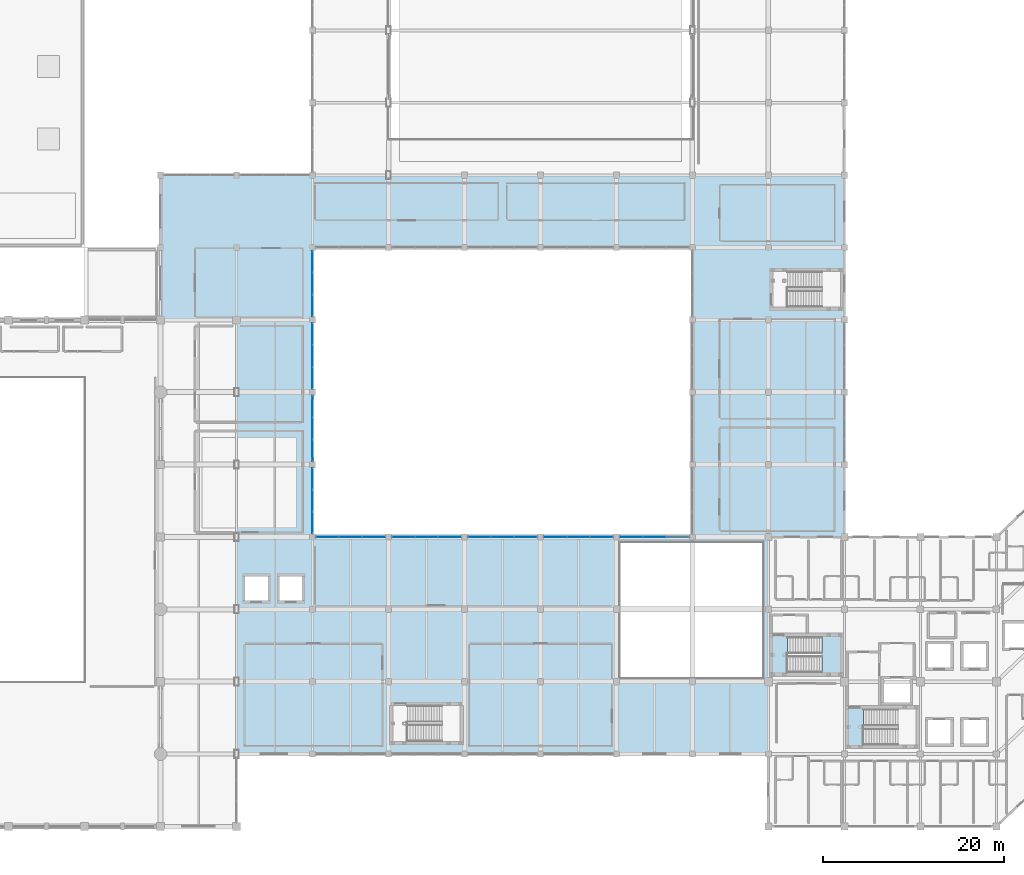
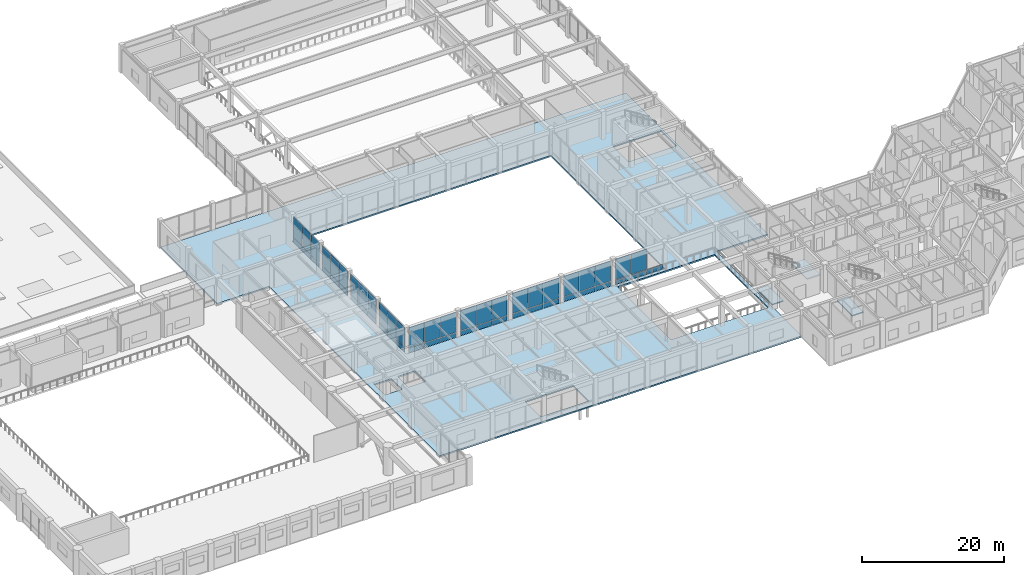
# One storey, part 45 of 76: 53 plates, 4 slabs, 10 elements without a shape of their own.
"""IFC4 building model written with IfcOpenShell, lengths in metres."""

from ifc_helpers import new_model, si_unit, direction, frame, origin, origin_2d, place, context, subcontext, project, spatial, polyline, rectangle, outline, extrude, material, layer, layer_set, type_object, element, aggregate, save


model = new_model("IFC4")

# Units and contexts
model_context = context("Model", 3, precision=1e-05, world=origin(), true_north=direction((0.0, 1.0)))
body_context = subcontext(model_context, "Body", "Model", "MODEL_VIEW")
ifc_project = project(units=[si_unit("LENGTHUNIT", "METRE"), si_unit("AREAUNIT", "SQUARE_METRE"), si_unit("VOLUMEUNIT", "CUBIC_METRE"), si_unit("PLANEANGLEUNIT", "RADIAN"), si_unit("MASSUNIT", "GRAM", prefix="KILO")], contexts=[model_context])

# Site, building, storey
site_placement = place(None, origin())
site = spatial("IfcSite", under=ifc_project, at=site_placement, CompositionType="ELEMENT")
building_placement = place(site_placement, origin())
building = spatial("IfcBuilding", under=site, at=building_placement, Name="Naruveol Harbour Congress Hotel", CompositionType="ELEMENT")
storey_placement = place(building_placement, frame((0.0, 0.0, 11.39990234375)))
storey = spatial("IfcBuildingStorey", under=building, at=storey_placement, Name="L02", CompositionType="ELEMENT", Elevation=11.39990234375)

# Curtain wall, plates
ifc_material_1 = material(Name="Low-E Curtain Wall System", Category="glass")
ifc_layer_1 = layer(ifc_material_1, 0.179931640625)
ifc_layer_set_1 = layer_set([ifc_layer_1], Name="Low-E Curtain Wall System")
curtain_wall_type_1 = type_object("IfcCurtainWallType", Name="UNITISED CURTAIN WALL CW-CTS-42 7700X4500", PredefinedType="USERDEFINED", material=ifc_layer_set_1)
curtain_wall_1_placement = place(storey_placement, origin())
curtain_wall_1 = element("IfcCurtainWall", 1, at=curtain_wall_1_placement, inside=storey, type_object=curtain_wall_type_1, Name="Unitised curtain wall CW-CTS-42 L02", ObjectType="UNITISED GLAZING", PredefinedType="USERDEFINED")
ifc_material_2 = material(Name="Anodised Aluminium Spandrel", Category="aluminium")
ifc_layer_2 = layer(ifc_material_2, 0.054931640625)
ifc_layer_set_2 = layer_set([ifc_layer_2], Name="Anodised Aluminium Spandrel")
plate_type_1 = type_object("IfcPlateType", Name="INSULATED CERAMIC SPANDREL PANEL 55", PredefinedType="CURTAIN_PANEL", material=ifc_layer_set_2)
plate_1_placement = place(storey_placement, frame((68.833251953125, 32.010009765625, 0.0400390625), z_axis=(0.0, 0.0, 1.0), x_axis=(1.0, 0.0, 0.0)))
plate_1 = element("IfcPlate", 2, at=plate_1_placement, type_object=plate_type_1, Name="Curtain wall spandrel panel CW-L02-0105-PS0", PredefinedType="CURTAIN_PANEL", context=body_context, shape_type="SweptSolid", body=[
    extrude(rectangle(XDim=2.487060546875, YDim=0.054931640625, at=origin_2d()), origin(), (0.0, 0.0, 1.0), 0.77001953125),
])
plate_2_placement = place(storey_placement, frame((71.39990234375, 32.010009765625, 0.0400390625), z_axis=(0.0, 0.0, 1.0), x_axis=(1.0, 0.0, 0.0)))
plate_2 = element("IfcPlate", 3, at=plate_2_placement, type_object=plate_type_1, Name="Curtain wall spandrel panel CW-L02-0105-PS1", PredefinedType="CURTAIN_PANEL", context=body_context, shape_type="SweptSolid", body=[
    extrude(rectangle(XDim=2.487060546875, YDim=0.054931640625, at=origin_2d()), origin(), (0.0, 0.0, 1.0), 0.77001953125),
])
plate_3_placement = place(storey_placement, frame((73.966796875, 32.010009765625, 0.0400390625), z_axis=(0.0, 0.0, 1.0), x_axis=(1.0, 0.0, 0.0)))
plate_3 = element("IfcPlate", 4, at=plate_3_placement, type_object=plate_type_1, Name="Curtain wall spandrel panel CW-L02-0105-PS2", PredefinedType="CURTAIN_PANEL", context=body_context, shape_type="SweptSolid", body=[
    extrude(rectangle(XDim=2.487060546875, YDim=0.054931640625, at=origin_2d()), origin(), (0.0, 0.0, 1.0), 0.77001953125),
])

curtain_wall_2_placement = place(storey_placement, origin())
curtain_wall_2 = element("IfcCurtainWall", 5, at=curtain_wall_2_placement, inside=storey, type_object=curtain_wall_type_1, Name="Unitised curtain wall CW-CTS-42 L02", ObjectType="UNITISED GLAZING", PredefinedType="USERDEFINED")
plate_4_placement = place(storey_placement, frame((77.2333984375, 32.010009765625, 0.0400390625), z_axis=(0.0, 0.0, 1.0), x_axis=(1.0, 0.0, 0.0)))
plate_4 = element("IfcPlate", 6, at=plate_4_placement, type_object=plate_type_1, Name="Curtain wall spandrel panel CW-L02-0107-PS0", PredefinedType="CURTAIN_PANEL", context=body_context, shape_type="SweptSolid", body=[
    extrude(rectangle(XDim=2.487060546875, YDim=0.054931640625, at=origin_2d()), origin(), (0.0, 0.0, 1.0), 0.77001953125),
])
plate_5_placement = place(storey_placement, frame((79.800048828125, 32.010009765625, 0.0400390625), z_axis=(0.0, 0.0, 1.0), x_axis=(1.0, 0.0, 0.0)))
plate_5 = element("IfcPlate", 7, at=plate_5_placement, type_object=plate_type_1, Name="Curtain wall spandrel panel CW-L02-0107-PS1", PredefinedType="CURTAIN_PANEL", context=body_context, shape_type="SweptSolid", body=[
    extrude(rectangle(XDim=2.487060546875, YDim=0.054931640625, at=origin_2d()), origin(), (0.0, 0.0, 1.0), 0.77001953125),
])
plate_6_placement = place(storey_placement, frame((82.36669921875, 32.010009765625, 0.0400390625), z_axis=(0.0, 0.0, 1.0), x_axis=(1.0, 0.0, 0.0)))
plate_6 = element("IfcPlate", 8, at=plate_6_placement, type_object=plate_type_1, Name="Curtain wall spandrel panel CW-L02-0107-PS2", PredefinedType="CURTAIN_PANEL", context=body_context, shape_type="SweptSolid", body=[
    extrude(rectangle(XDim=2.487060546875, YDim=0.054931640625, at=origin_2d()), origin(), (0.0, 0.0, 1.0), 0.77001953125),
])

curtain_wall_3_placement = place(storey_placement, origin())
curtain_wall_3 = element("IfcCurtainWall", 9, at=curtain_wall_3_placement, inside=storey, type_object=curtain_wall_type_1, Name="Unitised curtain wall CW-CTS-42 L02", ObjectType="UNITISED GLAZING", PredefinedType="USERDEFINED")
plate_7_placement = place(storey_placement, frame((85.63330078125, 32.010009765625, 0.0400390625), z_axis=(0.0, 0.0, 1.0), x_axis=(1.0, 0.0, 0.0)))
plate_7 = element("IfcPlate", 10, at=plate_7_placement, type_object=plate_type_1, Name="Curtain wall spandrel panel CW-L02-0109-PS0", PredefinedType="CURTAIN_PANEL", context=body_context, shape_type="SweptSolid", body=[
    extrude(rectangle(XDim=2.487060546875, YDim=0.054931640625, at=origin_2d()), origin(), (0.0, 0.0, 1.0), 0.77001953125),
])
plate_8_placement = place(storey_placement, frame((88.199951171875, 32.010009765625, 0.0400390625), z_axis=(0.0, 0.0, 1.0), x_axis=(1.0, 0.0, 0.0)))
plate_8 = element("IfcPlate", 11, at=plate_8_placement, type_object=plate_type_1, Name="Curtain wall spandrel panel CW-L02-0109-PS1", PredefinedType="CURTAIN_PANEL", context=body_context, shape_type="SweptSolid", body=[
    extrude(rectangle(XDim=2.487060546875, YDim=0.054931640625, at=origin_2d()), origin(), (0.0, 0.0, 1.0), 0.77001953125),
])
plate_9_placement = place(storey_placement, frame((90.7666015625, 32.010009765625, 0.0400390625), z_axis=(0.0, 0.0, 1.0), x_axis=(1.0, 0.0, 0.0)))
plate_9 = element("IfcPlate", 12, at=plate_9_placement, type_object=plate_type_1, Name="Curtain wall spandrel panel CW-L02-0109-PS2", PredefinedType="CURTAIN_PANEL", context=body_context, shape_type="SweptSolid", body=[
    extrude(rectangle(XDim=2.487060546875, YDim=0.054931640625, at=origin_2d()), origin(), (0.0, 0.0, 1.0), 0.77001953125),
])

curtain_wall_4_placement = place(storey_placement, origin())
curtain_wall_4 = element("IfcCurtainWall", 13, at=curtain_wall_4_placement, inside=storey, type_object=curtain_wall_type_1, Name="Unitised curtain wall CW-CTS-42 L02", ObjectType="UNITISED GLAZING", PredefinedType="USERDEFINED")
plate_10_placement = place(storey_placement, frame((94.033203125, 32.010009765625, 0.0400390625), z_axis=(0.0, 0.0, 1.0), x_axis=(1.0, 0.0, 0.0)))
plate_10 = element("IfcPlate", 14, at=plate_10_placement, type_object=plate_type_1, Name="Curtain wall spandrel panel CW-L02-0111-PS0", PredefinedType="CURTAIN_PANEL", context=body_context, shape_type="SweptSolid", body=[
    extrude(rectangle(XDim=2.487060546875, YDim=0.054931640625, at=origin_2d()), origin(), (0.0, 0.0, 1.0), 0.77001953125),
])
plate_11_placement = place(storey_placement, frame((96.60009765625, 32.010009765625, 0.0400390625), z_axis=(0.0, 0.0, 1.0), x_axis=(1.0, 0.0, 0.0)))
plate_11 = element("IfcPlate", 15, at=plate_11_placement, type_object=plate_type_1, Name="Curtain wall spandrel panel CW-L02-0111-PS1", PredefinedType="CURTAIN_PANEL", context=body_context, shape_type="SweptSolid", body=[
    extrude(rectangle(XDim=2.487060546875, YDim=0.054931640625, at=origin_2d()), origin(), (0.0, 0.0, 1.0), 0.77001953125),
])
plate_12_placement = place(storey_placement, frame((99.166748046875, 32.010009765625, 0.0400390625), z_axis=(0.0, 0.0, 1.0), x_axis=(1.0, 0.0, 0.0)))
plate_12 = element("IfcPlate", 16, at=plate_12_placement, type_object=plate_type_1, Name="Curtain wall spandrel panel CW-L02-0111-PS2", PredefinedType="CURTAIN_PANEL", context=body_context, shape_type="SweptSolid", body=[
    extrude(rectangle(XDim=2.487060546875, YDim=0.054931640625, at=origin_2d()), origin(), (0.0, 0.0, 1.0), 0.77001953125),
])

curtain_wall_5_placement = place(storey_placement, origin())
curtain_wall_5 = element("IfcCurtainWall", 17, at=curtain_wall_5_placement, inside=storey, type_object=curtain_wall_type_1, Name="Unitised curtain wall CW-CTS-42 L02", ObjectType="UNITISED GLAZING", PredefinedType="USERDEFINED")
plate_13_placement = place(storey_placement, frame((102.433349609375, 32.010009765625, 0.0400390625), z_axis=(0.0, 0.0, 1.0), x_axis=(1.0, 0.0, 0.0)))
plate_13 = element("IfcPlate", 18, at=plate_13_placement, type_object=plate_type_1, Name="Curtain wall spandrel panel CW-L02-0113-PS0", PredefinedType="CURTAIN_PANEL", context=body_context, shape_type="SweptSolid", body=[
    extrude(rectangle(XDim=2.487060546875, YDim=0.054931640625, at=origin_2d()), origin(), (0.0, 0.0, 1.0), 0.77001953125),
])
plate_14_placement = place(storey_placement, frame((105.0, 32.010009765625, 0.0400390625), z_axis=(0.0, 0.0, 1.0), x_axis=(1.0, 0.0, 0.0)))
plate_14 = element("IfcPlate", 19, at=plate_14_placement, type_object=plate_type_1, Name="Curtain wall spandrel panel CW-L02-0113-PS1", PredefinedType="CURTAIN_PANEL", context=body_context, shape_type="SweptSolid", body=[
    extrude(rectangle(XDim=2.487060546875, YDim=0.054931640625, at=origin_2d()), origin(), (0.0, 0.0, 1.0), 0.77001953125),
])
plate_15_placement = place(storey_placement, frame((107.566650390625, 32.010009765625, 0.0400390625), z_axis=(0.0, 0.0, 1.0), x_axis=(1.0, 0.0, 0.0)))
plate_15 = element("IfcPlate", 20, at=plate_15_placement, type_object=plate_type_1, Name="Curtain wall spandrel panel CW-L02-0113-PS2", PredefinedType="CURTAIN_PANEL", context=body_context, shape_type="SweptSolid", body=[
    extrude(rectangle(XDim=2.487060546875, YDim=0.054931640625, at=origin_2d()), origin(), (0.0, 0.0, 1.0), 0.77001953125),
])

ifc_material_3 = material(Name="Low-E Curtain Wall System", Category="glass")
ifc_layer_3 = layer(ifc_material_3, 0.179931640625)
ifc_layer_set_3 = layer_set([ifc_layer_3], Name="Low-E Curtain Wall System")
curtain_wall_type_2 = type_object("IfcCurtainWallType", Name="UNITISED CURTAIN WALL CW-CTW-43 7300X4500", PredefinedType="USERDEFINED", material=ifc_layer_set_3)
curtain_wall_6_placement = place(storey_placement, origin())
curtain_wall_6 = element("IfcCurtainWall", 21, at=curtain_wall_6_placement, inside=storey, type_object=curtain_wall_type_2, Name="Unitised curtain wall CW-CTW-43 L02", ObjectType="UNITISED GLAZING", PredefinedType="USERDEFINED")
plate_16_placement = place(storey_placement, frame((67.18994140625, 33.566650390625, 0.0400390625), z_axis=(0.0, 0.0, 1.0), x_axis=(0.0, 1.0, 0.0)))
plate_16 = element("IfcPlate", 22, at=plate_16_placement, type_object=plate_type_1, Name="Curtain wall spandrel panel CW-L02-0114-PS0", PredefinedType="CURTAIN_PANEL", context=body_context, shape_type="SweptSolid", body=[
    extrude(rectangle(XDim=2.35302734375, YDim=0.054931640625, at=origin_2d()), origin(), (0.0, 0.0, 1.0), 0.77001953125),
])
plate_17_placement = place(storey_placement, frame((67.18994140625, 36.0, 0.0400390625), z_axis=(0.0, 0.0, 1.0), x_axis=(0.0, 1.0, 0.0)))
plate_17 = element("IfcPlate", 23, at=plate_17_placement, type_object=plate_type_1, Name="Curtain wall spandrel panel CW-L02-0114-PS1", PredefinedType="CURTAIN_PANEL", context=body_context, shape_type="SweptSolid", body=[
    extrude(rectangle(XDim=2.35302734375, YDim=0.054931640625, at=origin_2d()), origin(), (0.0, 0.0, 1.0), 0.77001953125),
])
plate_18_placement = place(storey_placement, frame((67.18994140625, 38.433349609375, 0.0400390625), z_axis=(0.0, 0.0, 1.0), x_axis=(0.0, 1.0, 0.0)))
plate_18 = element("IfcPlate", 24, at=plate_18_placement, type_object=plate_type_1, Name="Curtain wall spandrel panel CW-L02-0114-PS2", PredefinedType="CURTAIN_PANEL", context=body_context, shape_type="SweptSolid", body=[
    extrude(rectangle(XDim=2.35302734375, YDim=0.054931640625, at=origin_2d()), origin(), (0.0, 0.0, 1.0), 0.77001953125),
])

curtain_wall_7_placement = place(storey_placement, origin())
curtain_wall_7 = element("IfcCurtainWall", 25, at=curtain_wall_7_placement, inside=storey, type_object=curtain_wall_type_2, Name="Unitised curtain wall CW-CTW-43 L02", ObjectType="UNITISED GLAZING", PredefinedType="USERDEFINED")
plate_19_placement = place(storey_placement, frame((67.18994140625, 41.566650390625, 0.0400390625), z_axis=(0.0, 0.0, 1.0), x_axis=(0.0, 1.0, 0.0)))
plate_19 = element("IfcPlate", 26, at=plate_19_placement, type_object=plate_type_1, Name="Curtain wall spandrel panel CW-L02-0116-PS0", PredefinedType="CURTAIN_PANEL", context=body_context, shape_type="SweptSolid", body=[
    extrude(rectangle(XDim=2.35302734375, YDim=0.054931640625, at=origin_2d()), origin(), (0.0, 0.0, 1.0), 0.77001953125),
])
plate_20_placement = place(storey_placement, frame((67.18994140625, 44.0, 0.0400390625), z_axis=(0.0, 0.0, 1.0), x_axis=(0.0, 1.0, 0.0)))
plate_20 = element("IfcPlate", 27, at=plate_20_placement, type_object=plate_type_1, Name="Curtain wall spandrel panel CW-L02-0116-PS1", PredefinedType="CURTAIN_PANEL", context=body_context, shape_type="SweptSolid", body=[
    extrude(rectangle(XDim=2.35302734375, YDim=0.054931640625, at=origin_2d()), origin(), (0.0, 0.0, 1.0), 0.77001953125),
])
plate_21_placement = place(storey_placement, frame((67.18994140625, 46.433349609375, 0.0400390625), z_axis=(0.0, 0.0, 1.0), x_axis=(0.0, 1.0, 0.0)))
plate_21 = element("IfcPlate", 28, at=plate_21_placement, type_object=plate_type_1, Name="Curtain wall spandrel panel CW-L02-0116-PS2", PredefinedType="CURTAIN_PANEL", context=body_context, shape_type="SweptSolid", body=[
    extrude(rectangle(XDim=2.35302734375, YDim=0.054931640625, at=origin_2d()), origin(), (0.0, 0.0, 1.0), 0.77001953125),
])

curtain_wall_8_placement = place(storey_placement, origin())
curtain_wall_8 = element("IfcCurtainWall", 29, at=curtain_wall_8_placement, inside=storey, type_object=curtain_wall_type_2, Name="Unitised curtain wall CW-CTW-43 L02", ObjectType="UNITISED GLAZING", PredefinedType="USERDEFINED")
plate_22_placement = place(storey_placement, frame((67.18994140625, 49.566650390625, 0.0400390625), z_axis=(0.0, 0.0, 1.0), x_axis=(0.0, 1.0, 0.0)))
plate_22 = element("IfcPlate", 30, at=plate_22_placement, type_object=plate_type_1, Name="Curtain wall spandrel panel CW-L02-0118-PS0", PredefinedType="CURTAIN_PANEL", context=body_context, shape_type="SweptSolid", body=[
    extrude(rectangle(XDim=2.35302734375, YDim=0.054931640625, at=origin_2d()), origin(), (0.0, 0.0, 1.0), 0.77001953125),
])
plate_23_placement = place(storey_placement, frame((67.18994140625, 52.0, 0.0400390625), z_axis=(0.0, 0.0, 1.0), x_axis=(0.0, 1.0, 0.0)))
plate_23 = element("IfcPlate", 31, at=plate_23_placement, type_object=plate_type_1, Name="Curtain wall spandrel panel CW-L02-0118-PS1", PredefinedType="CURTAIN_PANEL", context=body_context, shape_type="SweptSolid", body=[
    extrude(rectangle(XDim=2.35302734375, YDim=0.054931640625, at=origin_2d()), origin(), (0.0, 0.0, 1.0), 0.77001953125),
])
plate_24_placement = place(storey_placement, frame((67.18994140625, 54.433349609375, 0.0400390625), z_axis=(0.0, 0.0, 1.0), x_axis=(0.0, 1.0, 0.0)))
plate_24 = element("IfcPlate", 32, at=plate_24_placement, type_object=plate_type_1, Name="Curtain wall spandrel panel CW-L02-0118-PS2", PredefinedType="CURTAIN_PANEL", context=body_context, shape_type="SweptSolid", body=[
    extrude(rectangle(XDim=2.35302734375, YDim=0.054931640625, at=origin_2d()), origin(), (0.0, 0.0, 1.0), 0.77001953125),
])

curtain_wall_9_placement = place(storey_placement, origin())
curtain_wall_9 = element("IfcCurtainWall", 33, at=curtain_wall_9_placement, inside=storey, type_object=curtain_wall_type_2, Name="Unitised curtain wall CW-CTW-43 L02", ObjectType="UNITISED GLAZING", PredefinedType="USERDEFINED")
plate_25_placement = place(storey_placement, frame((67.18994140625, 57.566650390625, 0.0400390625), z_axis=(0.0, 0.0, 1.0), x_axis=(0.0, 1.0, 0.0)))
plate_25 = element("IfcPlate", 34, at=plate_25_placement, type_object=plate_type_1, Name="Curtain wall spandrel panel CW-L02-0120-PS0", PredefinedType="CURTAIN_PANEL", context=body_context, shape_type="SweptSolid", body=[
    extrude(rectangle(XDim=2.35302734375, YDim=0.054931640625, at=origin_2d()), origin(), (0.0, 0.0, 1.0), 0.77001953125),
])
plate_26_placement = place(storey_placement, frame((67.18994140625, 60.0, 0.0400390625), z_axis=(0.0, 0.0, 1.0), x_axis=(0.0, 1.0, 0.0)))
plate_26 = element("IfcPlate", 35, at=plate_26_placement, type_object=plate_type_1, Name="Curtain wall spandrel panel CW-L02-0120-PS1", PredefinedType="CURTAIN_PANEL", context=body_context, shape_type="SweptSolid", body=[
    extrude(rectangle(XDim=2.35302734375, YDim=0.054931640625, at=origin_2d()), origin(), (0.0, 0.0, 1.0), 0.77001953125),
])
plate_27_placement = place(storey_placement, frame((67.18994140625, 62.433349609375, 0.0400390625), z_axis=(0.0, 0.0, 1.0), x_axis=(0.0, 1.0, 0.0)))
plate_27 = element("IfcPlate", 36, at=plate_27_placement, type_object=plate_type_1, Name="Curtain wall spandrel panel CW-L02-0120-PS2", PredefinedType="CURTAIN_PANEL", context=body_context, shape_type="SweptSolid", body=[
    extrude(rectangle(XDim=2.35302734375, YDim=0.054931640625, at=origin_2d()), origin(), (0.0, 0.0, 1.0), 0.77001953125),
])

# Plate
ifc_material_4 = material(Name="Low-E Insulated Glass", Category="glass")
ifc_layer_4 = layer(ifc_material_4, 0.0419921875)
ifc_layer_set_4 = layer_set([ifc_layer_4], Name="Low-E Insulated Glass")
plate_type_2 = type_object("IfcPlateType", Name="LOW-E TRIPLE GLAZED CURTAIN PANEL 42", PredefinedType="CURTAIN_PANEL", material=ifc_layer_set_4)
plate_28_placement = place(storey_placement, frame((68.833251953125, 32.010009765625, 0.89013671875), z_axis=(0.0, 0.0, 1.0), x_axis=(1.0, 0.0, 0.0)))
plate_28 = element("IfcPlate", 37, at=plate_28_placement, type_object=plate_type_2, Name="Curtain wall vision panel CW-L02-0105-PG0", PredefinedType="CURTAIN_PANEL", context=body_context, shape_type="SweptSolid", body=[
    extrude(rectangle(XDim=2.487060546875, YDim=0.0419921875, at=origin_2d()), origin(), (0.0, 0.0, 1.0), 3.489990234375),
])

plate_29_placement = place(storey_placement, frame((71.39990234375, 32.010009765625, 0.89013671875), z_axis=(0.0, 0.0, 1.0), x_axis=(1.0, 0.0, 0.0)))
plate_29 = element("IfcPlate", 38, at=plate_29_placement, type_object=plate_type_2, Name="Curtain wall vision panel CW-L02-0105-PG1", PredefinedType="CURTAIN_PANEL", context=body_context, shape_type="SweptSolid", body=[
    extrude(rectangle(XDim=2.487060546875, YDim=0.0419921875, at=origin_2d()), origin(), (0.0, 0.0, 1.0), 3.489990234375),
])

plate_30_placement = place(storey_placement, frame((73.966796875, 32.010009765625, 0.89013671875), z_axis=(0.0, 0.0, 1.0), x_axis=(1.0, 0.0, 0.0)))
plate_30 = element("IfcPlate", 39, at=plate_30_placement, type_object=plate_type_2, Name="Curtain wall vision panel CW-L02-0105-PG2", PredefinedType="CURTAIN_PANEL", context=body_context, shape_type="SweptSolid", body=[
    extrude(rectangle(XDim=2.487060546875, YDim=0.0419921875, at=origin_2d()), origin(), (0.0, 0.0, 1.0), 3.489990234375),
])

aggregate(curtain_wall_1, [plate_1, plate_28, plate_2, plate_29, plate_3, plate_30])

plate_31_placement = place(storey_placement, frame((77.2333984375, 32.010009765625, 0.89013671875), z_axis=(0.0, 0.0, 1.0), x_axis=(1.0, 0.0, 0.0)))
plate_31 = element("IfcPlate", 40, at=plate_31_placement, type_object=plate_type_2, Name="Curtain wall vision panel CW-L02-0107-PG0", PredefinedType="CURTAIN_PANEL", context=body_context, shape_type="SweptSolid", body=[
    extrude(rectangle(XDim=2.487060546875, YDim=0.0419921875, at=origin_2d()), origin(), (0.0, 0.0, 1.0), 3.489990234375),
])

plate_32_placement = place(storey_placement, frame((79.800048828125, 32.010009765625, 0.89013671875), z_axis=(0.0, 0.0, 1.0), x_axis=(1.0, 0.0, 0.0)))
plate_32 = element("IfcPlate", 41, at=plate_32_placement, type_object=plate_type_2, Name="Curtain wall vision panel CW-L02-0107-PG1", PredefinedType="CURTAIN_PANEL", context=body_context, shape_type="SweptSolid", body=[
    extrude(rectangle(XDim=2.487060546875, YDim=0.0419921875, at=origin_2d()), origin(), (0.0, 0.0, 1.0), 3.489990234375),
])

plate_33_placement = place(storey_placement, frame((82.36669921875, 32.010009765625, 0.89013671875), z_axis=(0.0, 0.0, 1.0), x_axis=(1.0, 0.0, 0.0)))
plate_33 = element("IfcPlate", 42, at=plate_33_placement, type_object=plate_type_2, Name="Curtain wall vision panel CW-L02-0107-PG2", PredefinedType="CURTAIN_PANEL", context=body_context, shape_type="SweptSolid", body=[
    extrude(rectangle(XDim=2.487060546875, YDim=0.0419921875, at=origin_2d()), origin(), (0.0, 0.0, 1.0), 3.489990234375),
])

aggregate(curtain_wall_2, [plate_4, plate_31, plate_5, plate_32, plate_6, plate_33])

plate_34_placement = place(storey_placement, frame((85.63330078125, 32.010009765625, 0.89013671875), z_axis=(0.0, 0.0, 1.0), x_axis=(1.0, 0.0, 0.0)))
plate_34 = element("IfcPlate", 43, at=plate_34_placement, type_object=plate_type_2, Name="Curtain wall vision panel CW-L02-0109-PG0", PredefinedType="CURTAIN_PANEL", context=body_context, shape_type="SweptSolid", body=[
    extrude(rectangle(XDim=2.487060546875, YDim=0.0419921875, at=origin_2d()), origin(), (0.0, 0.0, 1.0), 3.489990234375),
])

plate_35_placement = place(storey_placement, frame((88.199951171875, 32.010009765625, 0.89013671875), z_axis=(0.0, 0.0, 1.0), x_axis=(1.0, 0.0, 0.0)))
plate_35 = element("IfcPlate", 44, at=plate_35_placement, type_object=plate_type_2, Name="Curtain wall vision panel CW-L02-0109-PG1", PredefinedType="CURTAIN_PANEL", context=body_context, shape_type="SweptSolid", body=[
    extrude(rectangle(XDim=2.487060546875, YDim=0.0419921875, at=origin_2d()), origin(), (0.0, 0.0, 1.0), 3.489990234375),
])

plate_36_placement = place(storey_placement, frame((90.7666015625, 32.010009765625, 0.89013671875), z_axis=(0.0, 0.0, 1.0), x_axis=(1.0, 0.0, 0.0)))
plate_36 = element("IfcPlate", 45, at=plate_36_placement, type_object=plate_type_2, Name="Curtain wall vision panel CW-L02-0109-PG2", PredefinedType="CURTAIN_PANEL", context=body_context, shape_type="SweptSolid", body=[
    extrude(rectangle(XDim=2.487060546875, YDim=0.0419921875, at=origin_2d()), origin(), (0.0, 0.0, 1.0), 3.489990234375),
])

aggregate(curtain_wall_3, [plate_7, plate_34, plate_8, plate_35, plate_9, plate_36])

plate_37_placement = place(storey_placement, frame((94.033203125, 32.010009765625, 0.89013671875), z_axis=(0.0, 0.0, 1.0), x_axis=(1.0, 0.0, 0.0)))
plate_37 = element("IfcPlate", 46, at=plate_37_placement, type_object=plate_type_2, Name="Curtain wall vision panel CW-L02-0111-PG0", PredefinedType="CURTAIN_PANEL", context=body_context, shape_type="SweptSolid", body=[
    extrude(rectangle(XDim=2.487060546875, YDim=0.0419921875, at=origin_2d()), origin(), (0.0, 0.0, 1.0), 3.489990234375),
])

plate_38_placement = place(storey_placement, frame((96.60009765625, 32.010009765625, 0.89013671875), z_axis=(0.0, 0.0, 1.0), x_axis=(1.0, 0.0, 0.0)))
plate_38 = element("IfcPlate", 47, at=plate_38_placement, type_object=plate_type_2, Name="Curtain wall vision panel CW-L02-0111-PG1", PredefinedType="CURTAIN_PANEL", context=body_context, shape_type="SweptSolid", body=[
    extrude(rectangle(XDim=2.487060546875, YDim=0.0419921875, at=origin_2d()), origin(), (0.0, 0.0, 1.0), 3.489990234375),
])

plate_39_placement = place(storey_placement, frame((99.166748046875, 32.010009765625, 0.89013671875), z_axis=(0.0, 0.0, 1.0), x_axis=(1.0, 0.0, 0.0)))
plate_39 = element("IfcPlate", 48, at=plate_39_placement, type_object=plate_type_2, Name="Curtain wall vision panel CW-L02-0111-PG2", PredefinedType="CURTAIN_PANEL", context=body_context, shape_type="SweptSolid", body=[
    extrude(rectangle(XDim=2.487060546875, YDim=0.0419921875, at=origin_2d()), origin(), (0.0, 0.0, 1.0), 3.489990234375),
])

aggregate(curtain_wall_4, [plate_10, plate_37, plate_11, plate_38, plate_12, plate_39])

plate_40_placement = place(storey_placement, frame((102.433349609375, 32.010009765625, 0.89013671875), z_axis=(0.0, 0.0, 1.0), x_axis=(1.0, 0.0, 0.0)))
plate_40 = element("IfcPlate", 49, at=plate_40_placement, type_object=plate_type_2, Name="Curtain wall vision panel CW-L02-0113-PG0", PredefinedType="CURTAIN_PANEL", context=body_context, shape_type="SweptSolid", body=[
    extrude(rectangle(XDim=2.487060546875, YDim=0.0419921875, at=origin_2d()), origin(), (0.0, 0.0, 1.0), 3.489990234375),
])

plate_41_placement = place(storey_placement, frame((105.0, 32.010009765625, 0.89013671875), z_axis=(0.0, 0.0, 1.0), x_axis=(1.0, 0.0, 0.0)))
plate_41 = element("IfcPlate", 50, at=plate_41_placement, type_object=plate_type_2, Name="Curtain wall vision panel CW-L02-0113-PG1", PredefinedType="CURTAIN_PANEL", context=body_context, shape_type="SweptSolid", body=[
    extrude(rectangle(XDim=2.487060546875, YDim=0.0419921875, at=origin_2d()), origin(), (0.0, 0.0, 1.0), 3.489990234375),
])

aggregate(curtain_wall_5, [plate_13, plate_40, plate_14, plate_41, plate_15])

plate_42_placement = place(storey_placement, frame((67.18994140625, 33.566650390625, 0.89013671875), z_axis=(0.0, 0.0, 1.0), x_axis=(0.0, 1.0, 0.0)))
plate_42 = element("IfcPlate", 51, at=plate_42_placement, type_object=plate_type_2, Name="Curtain wall vision panel CW-L02-0114-PG0", PredefinedType="CURTAIN_PANEL", context=body_context, shape_type="SweptSolid", body=[
    extrude(rectangle(XDim=2.35302734375, YDim=0.0419921875, at=origin_2d()), origin(), (0.0, 0.0, 1.0), 3.489990234375),
])

plate_43_placement = place(storey_placement, frame((67.18994140625, 36.0, 0.89013671875), z_axis=(0.0, 0.0, 1.0), x_axis=(0.0, 1.0, 0.0)))
plate_43 = element("IfcPlate", 52, at=plate_43_placement, type_object=plate_type_2, Name="Curtain wall vision panel CW-L02-0114-PG1", PredefinedType="CURTAIN_PANEL", context=body_context, shape_type="SweptSolid", body=[
    extrude(rectangle(XDim=2.35302734375, YDim=0.0419921875, at=origin_2d()), origin(), (0.0, 0.0, 1.0), 3.489990234375),
])

plate_44_placement = place(storey_placement, frame((67.18994140625, 38.433349609375, 0.89013671875), z_axis=(0.0, 0.0, 1.0), x_axis=(0.0, 1.0, 0.0)))
plate_44 = element("IfcPlate", 53, at=plate_44_placement, type_object=plate_type_2, Name="Curtain wall vision panel CW-L02-0114-PG2", PredefinedType="CURTAIN_PANEL", context=body_context, shape_type="SweptSolid", body=[
    extrude(rectangle(XDim=2.35302734375, YDim=0.0419921875, at=origin_2d()), origin(), (0.0, 0.0, 1.0), 3.489990234375),
])

aggregate(curtain_wall_6, [plate_16, plate_42, plate_17, plate_43, plate_18, plate_44])

plate_45_placement = place(storey_placement, frame((67.18994140625, 41.566650390625, 0.89013671875), z_axis=(0.0, 0.0, 1.0), x_axis=(0.0, 1.0, 0.0)))
plate_45 = element("IfcPlate", 54, at=plate_45_placement, type_object=plate_type_2, Name="Curtain wall vision panel CW-L02-0116-PG0", PredefinedType="CURTAIN_PANEL", context=body_context, shape_type="SweptSolid", body=[
    extrude(rectangle(XDim=2.35302734375, YDim=0.0419921875, at=origin_2d()), origin(), (0.0, 0.0, 1.0), 3.489990234375),
])

plate_46_placement = place(storey_placement, frame((67.18994140625, 44.0, 0.89013671875), z_axis=(0.0, 0.0, 1.0), x_axis=(0.0, 1.0, 0.0)))
plate_46 = element("IfcPlate", 55, at=plate_46_placement, type_object=plate_type_2, Name="Curtain wall vision panel CW-L02-0116-PG1", PredefinedType="CURTAIN_PANEL", context=body_context, shape_type="SweptSolid", body=[
    extrude(rectangle(XDim=2.35302734375, YDim=0.0419921875, at=origin_2d()), origin(), (0.0, 0.0, 1.0), 3.489990234375),
])

plate_47_placement = place(storey_placement, frame((67.18994140625, 46.433349609375, 0.89013671875), z_axis=(0.0, 0.0, 1.0), x_axis=(0.0, 1.0, 0.0)))
plate_47 = element("IfcPlate", 56, at=plate_47_placement, type_object=plate_type_2, Name="Curtain wall vision panel CW-L02-0116-PG2", PredefinedType="CURTAIN_PANEL", context=body_context, shape_type="SweptSolid", body=[
    extrude(rectangle(XDim=2.35302734375, YDim=0.0419921875, at=origin_2d()), origin(), (0.0, 0.0, 1.0), 3.489990234375),
])

aggregate(curtain_wall_7, [plate_19, plate_45, plate_20, plate_46, plate_21, plate_47])

plate_48_placement = place(storey_placement, frame((67.18994140625, 49.566650390625, 0.89013671875), z_axis=(0.0, 0.0, 1.0), x_axis=(0.0, 1.0, 0.0)))
plate_48 = element("IfcPlate", 57, at=plate_48_placement, type_object=plate_type_2, Name="Curtain wall vision panel CW-L02-0118-PG0", PredefinedType="CURTAIN_PANEL", context=body_context, shape_type="SweptSolid", body=[
    extrude(rectangle(XDim=2.35302734375, YDim=0.0419921875, at=origin_2d()), origin(), (0.0, 0.0, 1.0), 3.489990234375),
])

plate_49_placement = place(storey_placement, frame((67.18994140625, 52.0, 0.89013671875), z_axis=(0.0, 0.0, 1.0), x_axis=(0.0, 1.0, 0.0)))
plate_49 = element("IfcPlate", 58, at=plate_49_placement, type_object=plate_type_2, Name="Curtain wall vision panel CW-L02-0118-PG1", PredefinedType="CURTAIN_PANEL", context=body_context, shape_type="SweptSolid", body=[
    extrude(rectangle(XDim=2.35302734375, YDim=0.0419921875, at=origin_2d()), origin(), (0.0, 0.0, 1.0), 3.489990234375),
])

plate_50_placement = place(storey_placement, frame((67.18994140625, 54.433349609375, 0.89013671875), z_axis=(0.0, 0.0, 1.0), x_axis=(0.0, 1.0, 0.0)))
plate_50 = element("IfcPlate", 59, at=plate_50_placement, type_object=plate_type_2, Name="Curtain wall vision panel CW-L02-0118-PG2", PredefinedType="CURTAIN_PANEL", context=body_context, shape_type="SweptSolid", body=[
    extrude(rectangle(XDim=2.35302734375, YDim=0.0419921875, at=origin_2d()), origin(), (0.0, 0.0, 1.0), 3.489990234375),
])

aggregate(curtain_wall_8, [plate_22, plate_48, plate_23, plate_49, plate_24, plate_50])

plate_51_placement = place(storey_placement, frame((67.18994140625, 57.566650390625, 0.89013671875), z_axis=(0.0, 0.0, 1.0), x_axis=(0.0, 1.0, 0.0)))
plate_51 = element("IfcPlate", 60, at=plate_51_placement, type_object=plate_type_2, Name="Curtain wall vision panel CW-L02-0120-PG0", PredefinedType="CURTAIN_PANEL", context=body_context, shape_type="SweptSolid", body=[
    extrude(rectangle(XDim=2.35302734375, YDim=0.0419921875, at=origin_2d()), origin(), (0.0, 0.0, 1.0), 3.489990234375),
])

plate_52_placement = place(storey_placement, frame((67.18994140625, 60.0, 0.89013671875), z_axis=(0.0, 0.0, 1.0), x_axis=(0.0, 1.0, 0.0)))
plate_52 = element("IfcPlate", 61, at=plate_52_placement, type_object=plate_type_2, Name="Curtain wall vision panel CW-L02-0120-PG1", PredefinedType="CURTAIN_PANEL", context=body_context, shape_type="SweptSolid", body=[
    extrude(rectangle(XDim=2.35302734375, YDim=0.0419921875, at=origin_2d()), origin(), (0.0, 0.0, 1.0), 3.489990234375),
])

plate_53_placement = place(storey_placement, frame((67.18994140625, 62.433349609375, 0.89013671875), z_axis=(0.0, 0.0, 1.0), x_axis=(0.0, 1.0, 0.0)))
plate_53 = element("IfcPlate", 62, at=plate_53_placement, type_object=plate_type_2, Name="Curtain wall vision panel CW-L02-0120-PG2", PredefinedType="CURTAIN_PANEL", context=body_context, shape_type="SweptSolid", body=[
    extrude(rectangle(XDim=2.35302734375, YDim=0.0419921875, at=origin_2d()), origin(), (0.0, 0.0, 1.0), 3.489990234375),
])

aggregate(curtain_wall_9, [plate_25, plate_51, plate_26, plate_52, plate_27, plate_53])

# Slabs
ifc_material_5 = material(Name="Concrete C40/50", Category="concrete")
ifc_layer_5 = layer(ifc_material_5, 0.25)
ifc_layer_set_5 = layer_set([ifc_layer_5], Name="Concrete C40/50")
slab_type_1 = type_object("IfcSlabType", Name="RC MEETING WING FLOOR SLAB 250", PredefinedType="FLOOR", material=ifc_layer_set_5)
slab_1_placement = place(storey_placement, frame((0.0, 0.0, -0.25)))
element("IfcSlab", 63, at=slab_1_placement, inside=storey, type_object=slab_type_1, Name="Level L02 Courtyard meeting & briefing suites slab", PredefinedType="FLOOR", context=body_context, shape_type="SweptSolid", body=[
    extrude(outline(polyline([(58.800048828125, 8.0), (117.60009765625, 8.0), (117.60009765625, 32.0), (126.0, 32.0), (126.0, 72.0), (50.39990234375, 72.0), (50.39990234375, 56.0), (58.800048828125, 56.0), (58.800048828125, 8.0)]), holes=[polyline([(67.199951171875, 32.0), (109.199951171875, 32.0), (109.199951171875, 64.0), (67.199951171875, 64.0), (67.199951171875, 32.0)]), polyline([(101.199951171875, 16.39990234375), (117.0, 16.39990234375), (117.0, 31.39990234375), (101.199951171875, 31.39990234375), (101.199951171875, 16.39990234375)]), polyline([(117.89990234375, 57.199951171875), (125.699951171875, 57.199951171875), (125.699951171875, 61.56005859375), (117.89990234375, 61.56005859375), (117.89990234375, 57.199951171875)]), polyline([(75.89990234375, 9.199951171875), (83.699951171875, 9.199951171875), (83.699951171875, 13.56005859375), (75.89990234375, 13.56005859375), (75.89990234375, 9.199951171875)]), polyline([(59.60009765625, 24.800048828125), (62.39990234375, 24.800048828125), (62.39990234375, 27.800048828125), (59.60009765625, 27.800048828125), (59.60009765625, 24.800048828125)]), polyline([(63.39990234375, 24.800048828125), (66.199951171875, 24.800048828125), (66.199951171875, 27.800048828125), (63.39990234375, 27.800048828125), (63.39990234375, 24.800048828125)])]), origin(), (0.0, 0.0, 1.0), 0.25),
])
ifc_material_6 = material(Name="Concrete C40/50", Category="concrete")
ifc_layer_6 = layer(ifc_material_6, 0.179931640625)
ifc_layer_set_6 = layer_set([ifc_layer_6], Name="Concrete C40/50")
slab_type_2 = type_object("IfcSlabType", Name="RC STAIR HALF LANDING SLAB 180", PredefinedType="LANDING", material=ifc_layer_set_6)
slab_2_placement = place(storey_placement, frame((0.0, 0.0, -0.179931640625)))
element("IfcSlab", 64, at=slab_2_placement, inside=storey, type_object=slab_type_2, Name="Stair ST1 L02 floor landing", PredefinedType="LANDING", context=body_context, shape_type="SweptSolid", body=[
    extrude(outline(polyline([(126.300048828125, 8.800048828125), (128.10009765625, 8.800048828125), (128.10009765625, 13.159912109375), (126.300048828125, 13.159912109375), (126.300048828125, 8.800048828125)])), origin(), (0.0, 0.0, 1.0), 0.179931640625),
])
slab_3_placement = place(storey_placement, frame((0.0, 0.0, -0.179931640625)))
element("IfcSlab", 65, at=slab_3_placement, inside=storey, type_object=slab_type_2, Name="Stair ST3 L02 floor landing", PredefinedType="LANDING", context=body_context, shape_type="SweptSolid", body=[
    extrude(outline(polyline([(117.89990234375, 16.800048828125), (119.699951171875, 16.800048828125), (119.699951171875, 21.159912109375), (117.89990234375, 21.159912109375), (117.89990234375, 16.800048828125)])), origin(), (0.0, 0.0, 1.0), 0.179931640625),
])

# Stair, slab
ifc_material_7 = material(Name="Concrete C40/50", Category="concrete")
stair_type = type_object("IfcStairType", Name="RC DOG LEG ESCAPE STAIR 1800W H4800", PredefinedType="HALF_TURN_STAIR", material=ifc_material_7)
stair_placement = place(storey_placement, origin())
stair = element("IfcStair", 66, at=stair_placement, inside=storey, type_object=stair_type, Name="Special Escape Stair ST3 L02 to L03", PredefinedType="HALF_TURN_STAIR")
slab_4_placement = place(storey_placement, frame((0.0, 0.0, 2.22021484375)))
slab_4 = element("IfcSlab", 67, at=slab_4_placement, type_object=slab_type_2, Name="ST3 L02 half landing", PredefinedType="LANDING", context=body_context, shape_type="SweptSolid", body=[
    extrude(outline(polyline([(123.534912109375, 16.800048828125), (125.699951171875, 16.800048828125), (125.699951171875, 21.159912109375), (123.534912109375, 21.159912109375), (123.534912109375, 16.800048828125)])), origin(), (0.0, 0.0, 1.0), 0.179931640625),
])
aggregate(stair, [slab_4])

save(model, "model.ifc")
